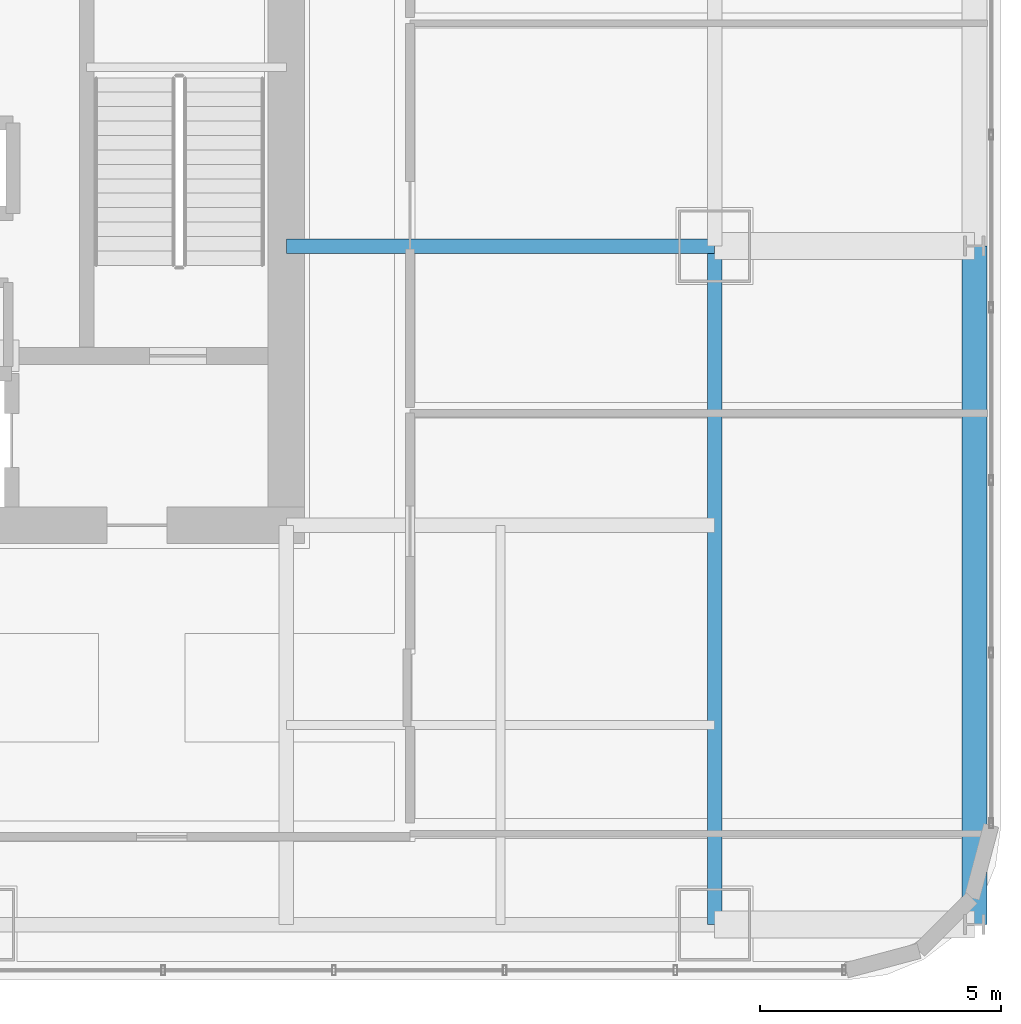
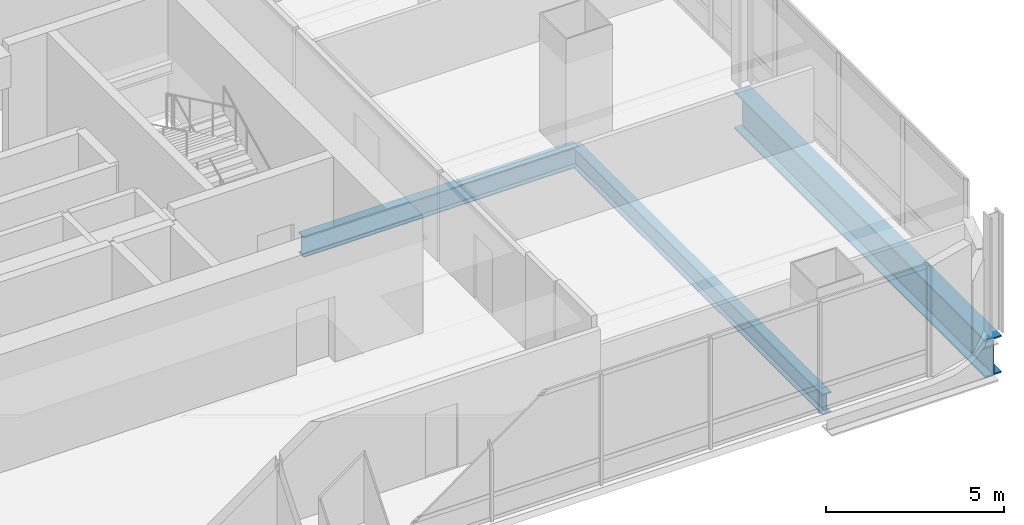
# One storey, part 14 of 35: 3 beams.
"""IFC4 building model written with IfcOpenShell, lengths in metres."""

import ifcopenshell
import ifcopenshell.guid

model = None  # the IFC model being written
_history = None  # IfcOwnerHistory: only IFC2X3 demands one
_inside = {}  # id of a spatial element -> (the spatial element, [elements in it])
_under = {}  # id of a project, library or spatial element -> (it, [spatial elements below it])
_declared = {}  # id of a project -> (the project, [libraries it declares])
_typed = {}  # id of a type object -> (the type object, [elements of that type])
_made_of = {}  # id of a material, layer set ... -> (it, [elements and type objects made of it])


def new_model(schema):
    """Start an empty IFC model of exactly this schema.

    Asked for "IFC4X3", IfcOpenShell would pick the latest addendum, in which some entities
    have other attributes; the version numbers below select the first issue.
    IFC2X3 requires an IfcOwnerHistory on every rooted entity: one is made here for all.
    """
    global model, _history
    if schema == "IFC4X3":
        model = ifcopenshell.file(schema_version=(4, 3, 0, 0))
    else:
        model = ifcopenshell.file(schema=schema)
    _inside.clear()
    _under.clear()
    _declared.clear()
    _typed.clear()
    _made_of.clear()
    _history = None
    if model.schema == "IFC2X3":
        org = make("IfcOrganization", Name="unknown")
        user = make(
            "IfcPersonAndOrganization",
            ThePerson=make("IfcPerson", FamilyName="unknown"),
            TheOrganization=org,
        )
        app = make(
            "IfcApplication",
            ApplicationDeveloper=org,
            Version="unknown",
            ApplicationFullName="unknown",
            ApplicationIdentifier="unknown",
        )
        _history = make(
            "IfcOwnerHistory",
            OwningUser=user,
            OwningApplication=app,
            ChangeAction="ADDED",
            CreationDate=0,
        )
    return model


def make(cls, **values):
    """One entity of the class cls with the attributes given. An attribute that is None is left unset."""
    return model.create_entity(
        cls, **{name: value for name, value in values.items() if value is not None}
    )


def rooted(cls, **values):
    """An entity with a GlobalId (a new one), such as an element, a storey or a relation."""
    return make(cls, GlobalId=ifcopenshell.guid.new(), OwnerHistory=_history, **values)


def si_unit(unit_type, name, prefix=None):
    """IfcSIUnit, for example si_unit("LENGTHUNIT", "METRE", prefix="MILLI")."""
    return make("IfcSIUnit", UnitType=unit_type, Prefix=prefix, Name=name)


def assignment(units):
    """IfcUnitAssignment: the units of a project."""
    return None if units is None else make("IfcUnitAssignment", Units=units)


def point(xyz):
    """IfcCartesianPoint."""
    return None if xyz is None else make("IfcCartesianPoint", Coordinates=xyz)


def direction(xyz):
    """IfcDirection."""
    return None if xyz is None else make("IfcDirection", DirectionRatios=xyz)


def frame(location, z_axis=None, x_axis=None):
    """IfcAxis2Placement3D, a coordinate frame: its origin and axes. An axis left out is left unset."""
    return make(
        "IfcAxis2Placement3D",
        Location=point(location),
        Axis=direction(z_axis),
        RefDirection=direction(x_axis),
    )


def frame_2d(location, x_axis=None):
    """IfcAxis2Placement2D, a coordinate frame in the plane: its origin and x axis."""
    return make(
        "IfcAxis2Placement2D", Location=point(location), RefDirection=direction(x_axis)
    )


def origin():
    """The frame at (0, 0, 0) with its axes left unset."""
    return frame((0.0, 0.0, 0.0))


def origin_2d():
    """The frame at (0, 0) in the plane with its x axis left unset."""
    return frame_2d((0.0, 0.0))


def place(relative_to, where):
    """IfcLocalPlacement: puts the frame where relative to a parent placement (None: the world)."""
    return make(
        "IfcLocalPlacement", PlacementRelTo=relative_to, RelativePlacement=where
    )


def context(
    kind, dimensions, precision=None, world=None, true_north=None, identifier=None
):
    """IfcGeometricRepresentationContext, for example the 3D "Model" context."""
    return make(
        "IfcGeometricRepresentationContext",
        ContextIdentifier=identifier,
        ContextType=kind,
        CoordinateSpaceDimension=dimensions,
        Precision=precision,
        WorldCoordinateSystem=world,
        TrueNorth=true_north,
    )


def subcontext(parent, identifier, kind, view, scale=None):
    """IfcGeometricRepresentationSubContext, for example "Body" below "Model"."""
    return make(
        "IfcGeometricRepresentationSubContext",
        ContextIdentifier=identifier,
        ContextType=kind,
        ParentContext=parent,
        TargetScale=scale,
        TargetView=view,
    )


def project(units=None, contexts=None):
    """IfcProject with its units and contexts."""
    return rooted(
        "IfcProject",
        Name="project",
        RepresentationContexts=contexts,
        UnitsInContext=assignment(units),
    )


def spatial(cls, under=None, at=None, **own):
    """A site, building, storey or space (cls), placed at a placement, below another one or the project."""
    s = rooted(cls, ObjectPlacement=at, **own)
    if under is not None:
        _under.setdefault(under.id(), (under, []))[1].append(s)
    return s


def profile(cls, at=None, kind="AREA", **sizes):
    """A parametric profile (cls). Its sizes go by their IFC names, for example OverallWidth=200.0."""
    return make(cls, ProfileType=kind, Position=at, **sizes)


def i_section(**sizes):
    """IfcIShapeProfileDef."""
    return profile("IfcIShapeProfileDef", **sizes)


def extrude(swept, where, along, depth):
    """IfcExtrudedAreaSolid: the profile swept, set in the frame where, extruded along a direction by depth."""
    return make(
        "IfcExtrudedAreaSolid",
        SweptArea=swept,
        Position=where,
        ExtrudedDirection=direction(along),
        Depth=depth,
    )


def shape(context_of_items, identifier, shape_type, items):
    """IfcShapeRepresentation: the items that make up one representation, for example the "Body"."""
    return make(
        "IfcShapeRepresentation",
        ContextOfItems=context_of_items,
        RepresentationIdentifier=identifier,
        RepresentationType=shape_type,
        Items=items,
    )


def material(Name=None, Category=None):
    """IfcMaterial."""
    return make("IfcMaterial", Name=Name, Category=Category)


def material_profile(
    of_material, cross_section, Name=None, Category=None, Priority=None
):
    """IfcMaterialProfile: a cross section and its material."""
    return make(
        "IfcMaterialProfile",
        Name=Name,
        Material=of_material,
        Profile=cross_section,
        Priority=Priority,
        Category=Category,
    )


def profile_set(profiles, Name=None, composite=None):
    """IfcMaterialProfileSet."""
    return make(
        "IfcMaterialProfileSet",
        Name=Name,
        MaterialProfiles=profiles,
        CompositeProfile=composite,
    )


def made_of(thing, what):
    """Note that an element or type object is made of a material, layer set ...; save() writes the relation."""
    if what is not None:
        _made_of.setdefault(what.id(), (what, []))[1].append(thing)
    return thing


def type_object(cls, material=None, **own):
    """A type object (cls), such as IfcWallType, which elements share."""
    return made_of(rooted(cls, **own), material)


def element(
    cls,
    number,
    at=None,
    inside=None,
    cuts=None,
    type_object=None,
    material=None,
    context=None,
    identifier="Body",
    shape_type=None,
    held_by="IfcProductDefinitionShape",
    body=None,
    shapes=None,
    **own,
):
    """One element of the class cls, such as IfcWall. Its Tag is "e" and its number.

    at: its placement. inside: the storey or other place that contains it. cuts: it is an
    opening in that element (IfcRelVoidsElement). A single representation is given by context,
    identifier, shape_type and body (its items); several are given by shapes. held_by: the class
    of the entity that holds the representations. save() writes the other relations.
    """
    e = rooted(cls, Tag="e%d" % number, ObjectPlacement=at, **own)
    if body is not None:
        shapes = [shape(context, identifier, shape_type, body)]
    if shapes is not None:
        e.Representation = make(held_by, Representations=shapes)
    if inside is not None:
        _inside.setdefault(inside.id(), (inside, []))[1].append(e)
    if cuts is not None:
        rooted(
            "IfcRelVoidsElement", RelatingBuildingElement=cuts, RelatedOpeningElement=e
        )
    if type_object is not None:
        _typed.setdefault(type_object.id(), (type_object, []))[1].append(e)
    return made_of(e, material)


def aggregate(whole, parts):
    """IfcRelAggregates: a whole, such as a stair, and the parts it consists of."""
    return rooted("IfcRelAggregates", RelatingObject=whole, RelatedObjects=parts)


def save(model, path):
    """Write the relations noted so far, then the file.

    IfcRelAggregates (storeys below a building ...), IfcRelContainedInSpatialStructure (elements
    in a storey), IfcRelDefinesByType, IfcRelAssociatesMaterial and IfcRelDeclares: one each for
    every whole, place, type object, material and project.
    """
    for whole, parts in _under.values():
        aggregate(whole, parts)
    for where, things in _inside.values():
        rooted(
            "IfcRelContainedInSpatialStructure",
            RelatedElements=things,
            RelatingStructure=where,
        )
    for kind, things in _typed.values():
        rooted("IfcRelDefinesByType", RelatedObjects=things, RelatingType=kind)
    for what, things in _made_of.values():
        rooted("IfcRelAssociatesMaterial", RelatedObjects=things, RelatingMaterial=what)
    for by, libraries in _declared.values():
        rooted("IfcRelDeclares", RelatingContext=by, RelatedDefinitions=libraries)
    model.write(path)


model = new_model("IFC4")

# Units and contexts
model_context = context("Model", 3, precision=1e-05, world=origin(), true_north=direction((0.0, 1.0)))
body_context = subcontext(model_context, "Body", "Model", "MODEL_VIEW")
ifc_project = project(units=[si_unit("LENGTHUNIT", "METRE"), si_unit("AREAUNIT", "SQUARE_METRE"), si_unit("VOLUMEUNIT", "CUBIC_METRE"), si_unit("PLANEANGLEUNIT", "RADIAN"), si_unit("MASSUNIT", "GRAM", prefix="KILO")], contexts=[model_context])

# Site, building, storey
site_placement = place(None, origin())
site = spatial("IfcSite", under=ifc_project, at=site_placement, CompositionType="ELEMENT")
building_placement = place(site_placement, origin())
building = spatial("IfcBuilding", under=site, at=building_placement, Name="Punatoya Terracotta Tower", CompositionType="ELEMENT")
storey_placement = place(building_placement, frame((0.0, 0.0, 113.25)))
storey = spatial("IfcBuildingStorey", under=building, at=storey_placement, Name="L26", CompositionType="ELEMENT", Elevation=113.25)

# Beams
ifc_material_1 = material(Name="Steel S355", Category="steel")
ifc_material_profile_1 = material_profile(ifc_material_1, i_section(OverallWidth=0.300048828125, OverallDepth=0.699951171875, WebThickness=0.01708984375, FlangeThickness=0.031982421875, FilletRadius=0.01806640625, at=origin_2d()))
ifc_profile_set_1 = profile_set([ifc_material_profile_1], Name="Steel S355")
beam_type_1 = type_object("IfcBeamType", Name="BM-PRI-700", PredefinedType="BEAM", material=ifc_profile_set_1)
beam_1_placement = place(storey_placement, frame((19.10009765625, -17.5, -0.590087890625), z_axis=(0.0, 1.0, 0.0), x_axis=(-1.0, 0.0, 0.0)))
element("IfcBeam", 1, at=beam_1_placement, inside=storey, type_object=beam_type_1, Name="BM-L26-RG-E1", PredefinedType="BEAM", context=body_context, shape_type="SweptSolid", body=[
    extrude(i_section(OverallWidth=0.300048828125, OverallDepth=0.699951171875, WebThickness=0.01708984375, FlangeThickness=0.031982421875, FilletRadius=0.01806640625, at=origin_2d()), origin(), (0.0, 0.0, 1.0), 14.10009765625),
])
beam_2_placement = place(storey_placement, frame((10.199951171875, -3.39990234375, -0.590087890625), z_axis=(1.0, 0.0, 0.0), x_axis=(0.0, 1.0, 0.0)))
element("IfcBeam", 2, at=beam_2_placement, inside=storey, type_object=beam_type_1, Name="BM-L26-PR-ED", PredefinedType="BEAM", context=body_context, shape_type="SweptSolid", body=[
    extrude(i_section(OverallWidth=0.300048828125, OverallDepth=0.699951171875, WebThickness=0.01708984375, FlangeThickness=0.031982421875, FilletRadius=0.01806640625, at=origin_2d()), origin(), (0.0, 0.0, 1.0), 8.900146484375),
])
ifc_material_2 = material(Name="Steel S460", Category="steel")
ifc_material_profile_2 = material_profile(ifc_material_2, i_section(OverallWidth=0.52001953125, OverallDepth=1.280029296875, WebThickness=0.031982421875, FlangeThickness=0.050048828125, FilletRadius=0.01806640625, at=origin_2d()))
ifc_profile_set_2 = profile_set([ifc_material_profile_2], Name="Steel S460")
beam_type_2 = type_object("IfcBeamType", Name="BM-TG-NCK", PredefinedType="BEAM", material=ifc_profile_set_2)
beam_3_placement = place(storey_placement, frame((24.5, -17.5, -0.8798828125), z_axis=(0.0, 1.0, 0.0), x_axis=(-1.0, 0.0, 0.0)))
element("IfcBeam", 3, at=beam_3_placement, inside=storey, type_object=beam_type_2, Name="BM-L26-PER-E1", PredefinedType="BEAM", context=body_context, shape_type="SweptSolid", body=[
    extrude(i_section(OverallWidth=0.52001953125, OverallDepth=1.280029296875, WebThickness=0.031982421875, FlangeThickness=0.050048828125, FilletRadius=0.01806640625, at=origin_2d()), origin(), (0.0, 0.0, 1.0), 14.10009765625),
])

save(model, "model.ifc")
